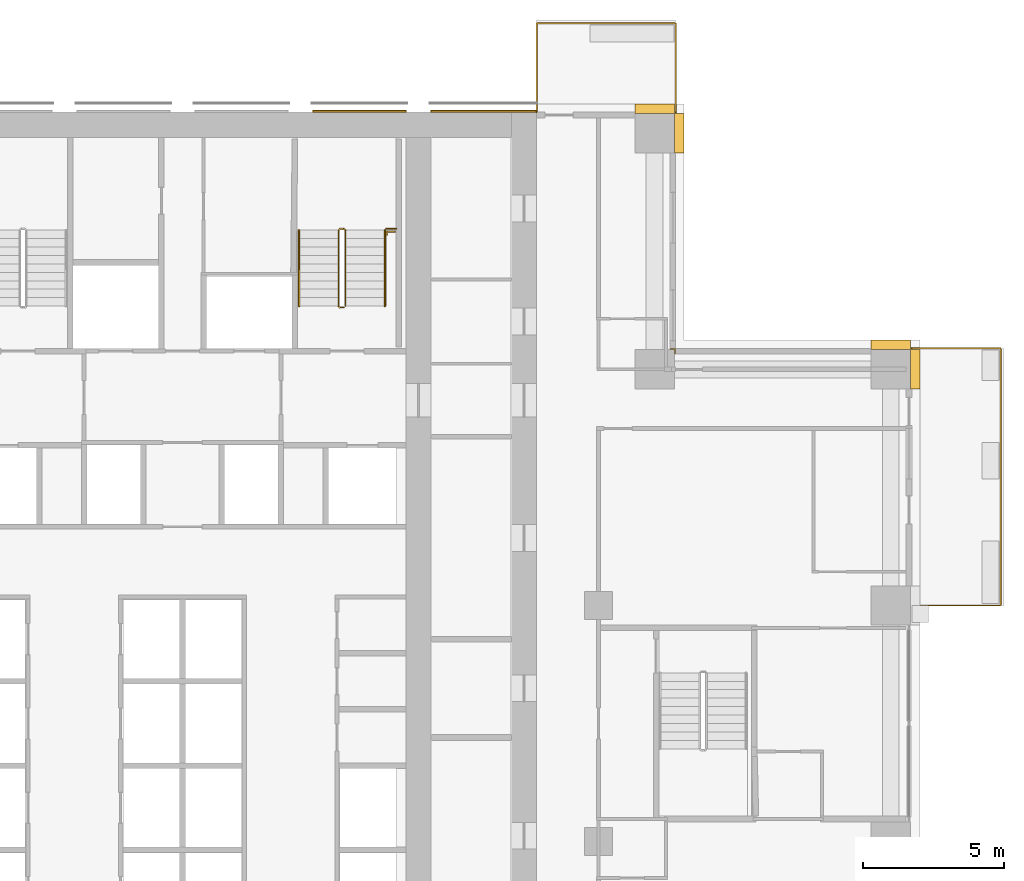
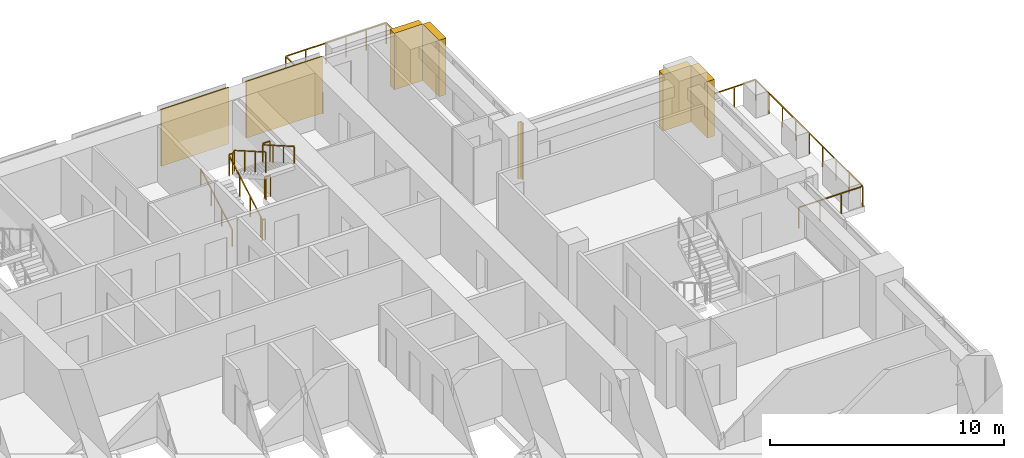
# One storey, part 16 of 16: 7 coverings, 7 railings.
"""IFC4 building model written with IfcOpenShell, lengths in metres."""

import ifcopenshell
import ifcopenshell.guid

model = None  # the IFC model being written
_history = None  # IfcOwnerHistory: only IFC2X3 demands one
_inside = {}  # id of a spatial element -> (the spatial element, [elements in it])
_under = {}  # id of a project, library or spatial element -> (it, [spatial elements below it])
_declared = {}  # id of a project -> (the project, [libraries it declares])
_typed = {}  # id of a type object -> (the type object, [elements of that type])
_made_of = {}  # id of a material, layer set ... -> (it, [elements and type objects made of it])


def new_model(schema):
    """Start an empty IFC model of exactly this schema.

    Asked for "IFC4X3", IfcOpenShell would pick the latest addendum, in which some entities
    have other attributes; the version numbers below select the first issue.
    IFC2X3 requires an IfcOwnerHistory on every rooted entity: one is made here for all.
    """
    global model, _history
    if schema == "IFC4X3":
        model = ifcopenshell.file(schema_version=(4, 3, 0, 0))
    else:
        model = ifcopenshell.file(schema=schema)
    _inside.clear()
    _under.clear()
    _declared.clear()
    _typed.clear()
    _made_of.clear()
    _history = None
    if model.schema == "IFC2X3":
        org = make("IfcOrganization", Name="unknown")
        user = make(
            "IfcPersonAndOrganization",
            ThePerson=make("IfcPerson", FamilyName="unknown"),
            TheOrganization=org,
        )
        app = make(
            "IfcApplication",
            ApplicationDeveloper=org,
            Version="unknown",
            ApplicationFullName="unknown",
            ApplicationIdentifier="unknown",
        )
        _history = make(
            "IfcOwnerHistory",
            OwningUser=user,
            OwningApplication=app,
            ChangeAction="ADDED",
            CreationDate=0,
        )
    return model


def make(cls, **values):
    """One entity of the class cls with the attributes given. An attribute that is None is left unset."""
    return model.create_entity(
        cls, **{name: value for name, value in values.items() if value is not None}
    )


def rooted(cls, **values):
    """An entity with a GlobalId (a new one), such as an element, a storey or a relation."""
    return make(cls, GlobalId=ifcopenshell.guid.new(), OwnerHistory=_history, **values)


def si_unit(unit_type, name, prefix=None):
    """IfcSIUnit, for example si_unit("LENGTHUNIT", "METRE", prefix="MILLI")."""
    return make("IfcSIUnit", UnitType=unit_type, Prefix=prefix, Name=name)


def assignment(units):
    """IfcUnitAssignment: the units of a project."""
    return None if units is None else make("IfcUnitAssignment", Units=units)


def point(xyz):
    """IfcCartesianPoint."""
    return None if xyz is None else make("IfcCartesianPoint", Coordinates=xyz)


def direction(xyz):
    """IfcDirection."""
    return None if xyz is None else make("IfcDirection", DirectionRatios=xyz)


def frame(location, z_axis=None, x_axis=None):
    """IfcAxis2Placement3D, a coordinate frame: its origin and axes. An axis left out is left unset."""
    return make(
        "IfcAxis2Placement3D",
        Location=point(location),
        Axis=direction(z_axis),
        RefDirection=direction(x_axis),
    )


def frame_2d(location, x_axis=None):
    """IfcAxis2Placement2D, a coordinate frame in the plane: its origin and x axis."""
    return make(
        "IfcAxis2Placement2D", Location=point(location), RefDirection=direction(x_axis)
    )


def origin():
    """The frame at (0, 0, 0) with its axes left unset."""
    return frame((0.0, 0.0, 0.0))


def origin_2d():
    """The frame at (0, 0) in the plane with its x axis left unset."""
    return frame_2d((0.0, 0.0))


def place(relative_to, where):
    """IfcLocalPlacement: puts the frame where relative to a parent placement (None: the world)."""
    return make(
        "IfcLocalPlacement", PlacementRelTo=relative_to, RelativePlacement=where
    )


def context(
    kind, dimensions, precision=None, world=None, true_north=None, identifier=None
):
    """IfcGeometricRepresentationContext, for example the 3D "Model" context."""
    return make(
        "IfcGeometricRepresentationContext",
        ContextIdentifier=identifier,
        ContextType=kind,
        CoordinateSpaceDimension=dimensions,
        Precision=precision,
        WorldCoordinateSystem=world,
        TrueNorth=true_north,
    )


def subcontext(parent, identifier, kind, view, scale=None):
    """IfcGeometricRepresentationSubContext, for example "Body" below "Model"."""
    return make(
        "IfcGeometricRepresentationSubContext",
        ContextIdentifier=identifier,
        ContextType=kind,
        ParentContext=parent,
        TargetScale=scale,
        TargetView=view,
    )


def project(units=None, contexts=None):
    """IfcProject with its units and contexts."""
    return rooted(
        "IfcProject",
        Name="project",
        RepresentationContexts=contexts,
        UnitsInContext=assignment(units),
    )


def spatial(cls, under=None, at=None, **own):
    """A site, building, storey or space (cls), placed at a placement, below another one or the project."""
    s = rooted(cls, ObjectPlacement=at, **own)
    if under is not None:
        _under.setdefault(under.id(), (under, []))[1].append(s)
    return s


def polyline(points):
    """IfcPolyline through the points."""
    return make("IfcPolyline", Points=[point(p) for p in points])


def profile(cls, at=None, kind="AREA", **sizes):
    """A parametric profile (cls). Its sizes go by their IFC names, for example OverallWidth=200.0."""
    return make(cls, ProfileType=kind, Position=at, **sizes)


def rectangle(**sizes):
    """IfcRectangleProfileDef."""
    return profile("IfcRectangleProfileDef", **sizes)


def outline(outer, holes=None, kind="AREA"):
    """IfcArbitraryClosedProfileDef: a profile drawn as a closed curve; with holes, ...WithVoids."""
    if holes is None:
        return make("IfcArbitraryClosedProfileDef", ProfileType=kind, OuterCurve=outer)
    return make(
        "IfcArbitraryProfileDefWithVoids",
        ProfileType=kind,
        OuterCurve=outer,
        InnerCurves=holes,
    )


def extrude(swept, where, along, depth):
    """IfcExtrudedAreaSolid: the profile swept, set in the frame where, extruded along a direction by depth."""
    return make(
        "IfcExtrudedAreaSolid",
        SweptArea=swept,
        Position=where,
        ExtrudedDirection=direction(along),
        Depth=depth,
    )


def shape(context_of_items, identifier, shape_type, items):
    """IfcShapeRepresentation: the items that make up one representation, for example the "Body"."""
    return make(
        "IfcShapeRepresentation",
        ContextOfItems=context_of_items,
        RepresentationIdentifier=identifier,
        RepresentationType=shape_type,
        Items=items,
    )


def material(Name=None, Category=None):
    """IfcMaterial."""
    return make("IfcMaterial", Name=Name, Category=Category)


def made_of(thing, what):
    """Note that an element or type object is made of a material, layer set ...; save() writes the relation."""
    if what is not None:
        _made_of.setdefault(what.id(), (what, []))[1].append(thing)
    return thing


def type_object(cls, material=None, **own):
    """A type object (cls), such as IfcWallType, which elements share."""
    return made_of(rooted(cls, **own), material)


def element(
    cls,
    number,
    at=None,
    inside=None,
    cuts=None,
    type_object=None,
    material=None,
    context=None,
    identifier="Body",
    shape_type=None,
    held_by="IfcProductDefinitionShape",
    body=None,
    shapes=None,
    **own,
):
    """One element of the class cls, such as IfcWall. Its Tag is "e" and its number.

    at: its placement. inside: the storey or other place that contains it. cuts: it is an
    opening in that element (IfcRelVoidsElement). A single representation is given by context,
    identifier, shape_type and body (its items); several are given by shapes. held_by: the class
    of the entity that holds the representations. save() writes the other relations.
    """
    e = rooted(cls, Tag="e%d" % number, ObjectPlacement=at, **own)
    if body is not None:
        shapes = [shape(context, identifier, shape_type, body)]
    if shapes is not None:
        e.Representation = make(held_by, Representations=shapes)
    if inside is not None:
        _inside.setdefault(inside.id(), (inside, []))[1].append(e)
    if cuts is not None:
        rooted(
            "IfcRelVoidsElement", RelatingBuildingElement=cuts, RelatedOpeningElement=e
        )
    if type_object is not None:
        _typed.setdefault(type_object.id(), (type_object, []))[1].append(e)
    return made_of(e, material)


def aggregate(whole, parts):
    """IfcRelAggregates: a whole, such as a stair, and the parts it consists of."""
    return rooted("IfcRelAggregates", RelatingObject=whole, RelatedObjects=parts)


def save(model, path):
    """Write the relations noted so far, then the file.

    IfcRelAggregates (storeys below a building ...), IfcRelContainedInSpatialStructure (elements
    in a storey), IfcRelDefinesByType, IfcRelAssociatesMaterial and IfcRelDeclares: one each for
    every whole, place, type object, material and project.
    """
    for whole, parts in _under.values():
        aggregate(whole, parts)
    for where, things in _inside.values():
        rooted(
            "IfcRelContainedInSpatialStructure",
            RelatedElements=things,
            RelatingStructure=where,
        )
    for kind, things in _typed.values():
        rooted("IfcRelDefinesByType", RelatedObjects=things, RelatingType=kind)
    for what, things in _made_of.values():
        rooted("IfcRelAssociatesMaterial", RelatedObjects=things, RelatingMaterial=what)
    for by, libraries in _declared.values():
        rooted("IfcRelDeclares", RelatingContext=by, RelatedDefinitions=libraries)
    model.write(path)


model = new_model("IFC4")

# Units and contexts
model_context = context("Model", 3, precision=1e-05, world=origin(), true_north=direction((0.0, 1.0)))
body_context = subcontext(model_context, "Body", "Model", "MODEL_VIEW")
ifc_project = project(units=[si_unit("LENGTHUNIT", "METRE"), si_unit("AREAUNIT", "SQUARE_METRE"), si_unit("VOLUMEUNIT", "CUBIC_METRE"), si_unit("PLANEANGLEUNIT", "RADIAN"), si_unit("MASSUNIT", "GRAM", prefix="KILO")], contexts=[model_context])

# Site, building, storey
site_placement = place(None, origin())
site = spatial("IfcSite", under=ifc_project, at=site_placement, CompositionType="ELEMENT")
building_placement = place(site_placement, origin())
building = spatial("IfcBuilding", under=site, at=building_placement, Name="Vermilion Ogive Tower", CompositionType="ELEMENT")
storey_placement = place(building_placement, frame((0.0, 0.0, 72.449951171875)))
storey = spatial("IfcBuildingStorey", under=building, at=storey_placement, Name="L17", CompositionType="ELEMENT", Elevation=72.449951171875)

# Railings
ifc_material_1 = material(Name="Stainless steel and glass", Category="steel")
railing_type_1 = type_object("IfcRailingType", Name="Balcony guard", PredefinedType="GUARDRAIL", material=ifc_material_1)
railing_1_placement = place(storey_placement, frame((25.949951171875, 4.199951171875, -0.0400390625)))
element("IfcRailing", 1, at=railing_1_placement, inside=storey, type_object=railing_type_1, Name="Guard E03", PredefinedType="GUARDRAIL", context=body_context, shape_type="SweptSolid", body=[
    extrude(rectangle(XDim=0.048095703125, YDim=0.048095703125, at=origin_2d()), frame((0.0, 0.0, 1.076171875), z_axis=(1.0, 0.0, 0.0), x_axis=(0.0, 1.0, 0.0)), (0.0, 0.0, 1.0), 3.16015625),
    extrude(rectangle(XDim=0.048095703125, YDim=0.048095703125, at=origin_2d()), frame((3.16015625, 0.0, 1.076171875), z_axis=(0.0, 1.0, 0.0), x_axis=(-1.0, 0.0, 0.0)), (0.0, 0.0, 1.0), 9.150146484375),
    extrude(rectangle(XDim=0.048095703125, YDim=0.048095703125, at=origin_2d()), frame((3.16015625, 9.150146484375, 1.076171875), z_axis=(-1.0, 0.0, 0.0), x_axis=(0.0, -1.0, 0.0)), (0.0, 0.0, 1.0), 3.16015625),
    extrude(rectangle(XDim=0.0419921875, YDim=0.0419921875, at=origin_2d()), origin(), (0.0, 0.0, 1.0), 1.052001953125),
    extrude(rectangle(XDim=0.0419921875, YDim=0.0419921875, at=origin_2d()), frame((1.053466796875, 0.0, 0.0)), (0.0, 0.0, 1.0), 1.052001953125),
    extrude(rectangle(XDim=0.0419921875, YDim=0.0419921875, at=origin_2d()), frame((2.106689453125, 0.0, 0.0)), (0.0, 0.0, 1.0), 1.052001953125),
    extrude(rectangle(XDim=0.0419921875, YDim=0.0419921875, at=origin_2d()), frame((3.16015625, 0.0, 0.0)), (0.0, 0.0, 1.0), 1.052001953125),
    extrude(rectangle(XDim=0.0419921875, YDim=0.0419921875, at=origin_2d()), frame((3.16015625, 1.143798828125, 0.0)), (0.0, 0.0, 1.0), 1.052001953125),
    extrude(rectangle(XDim=0.0419921875, YDim=0.0419921875, at=origin_2d()), frame((3.16015625, 2.28759765625, 0.0)), (0.0, 0.0, 1.0), 1.052001953125),
    extrude(rectangle(XDim=0.0419921875, YDim=0.0419921875, at=origin_2d()), frame((3.16015625, 3.431396484375, 0.0)), (0.0, 0.0, 1.0), 1.052001953125),
    extrude(rectangle(XDim=0.0419921875, YDim=0.0419921875, at=origin_2d()), frame((3.16015625, 4.5751953125, 0.0)), (0.0, 0.0, 1.0), 1.052001953125),
    extrude(rectangle(XDim=0.0419921875, YDim=0.0419921875, at=origin_2d()), frame((3.16015625, 5.71875, 0.0)), (0.0, 0.0, 1.0), 1.052001953125),
    extrude(rectangle(XDim=0.0419921875, YDim=0.0419921875, at=origin_2d()), frame((3.16015625, 6.862548828125, 0.0)), (0.0, 0.0, 1.0), 1.052001953125),
    extrude(rectangle(XDim=0.0419921875, YDim=0.0419921875, at=origin_2d()), frame((3.16015625, 8.00634765625, 0.0)), (0.0, 0.0, 1.0), 1.052001953125),
    extrude(rectangle(XDim=0.0419921875, YDim=0.0419921875, at=origin_2d()), frame((3.16015625, 9.150146484375, 0.0)), (0.0, 0.0, 1.0), 1.052001953125),
    extrude(rectangle(XDim=0.0419921875, YDim=0.0419921875, at=origin_2d()), frame((2.106689453125, 9.150146484375, 0.0)), (0.0, 0.0, 1.0), 1.052001953125),
    extrude(rectangle(XDim=0.0419921875, YDim=0.0419921875, at=origin_2d()), frame((1.053466796875, 9.150146484375, 0.0)), (0.0, 0.0, 1.0), 1.052001953125),
    extrude(rectangle(XDim=0.0419921875, YDim=0.0419921875, at=origin_2d()), frame((0.0, 9.150146484375, 0.0)), (0.0, 0.0, 1.0), 1.052001953125),
])
railing_2_placement = place(storey_placement, frame((17.550048828125, 21.75, -0.0400390625)))
element("IfcRailing", 2, at=railing_2_placement, inside=storey, type_object=railing_type_1, Name="Guard N101", PredefinedType="GUARDRAIL", context=body_context, shape_type="SweptSolid", body=[
    extrude(rectangle(XDim=0.048095703125, YDim=0.048095703125, at=origin_2d()), frame((0.0, 0.0, 1.076171875), z_axis=(0.0, 1.0, 0.0), x_axis=(-1.0, 0.0, 0.0)), (0.0, 0.0, 1.0), 3.159912109375),
    extrude(rectangle(XDim=0.048095703125, YDim=0.048095703125, at=origin_2d()), frame((0.0, 3.159912109375, 1.076171875), z_axis=(-1.0, 0.0, 0.0), x_axis=(0.0, -1.0, 0.0)), (0.0, 0.0, 1.0), 4.949951171875),
    extrude(rectangle(XDim=0.048095703125, YDim=0.048095703125, at=origin_2d()), frame((-4.949951171875, 3.159912109375, 1.076171875), z_axis=(0.0, -1.0, 0.0), x_axis=(1.0, 0.0, 0.0)), (0.0, 0.0, 1.0), 3.159912109375),
    extrude(rectangle(XDim=0.0419921875, YDim=0.0419921875, at=origin_2d()), origin(), (0.0, 0.0, 1.0), 1.052001953125),
    extrude(rectangle(XDim=0.0419921875, YDim=0.0419921875, at=origin_2d()), frame((0.0, 1.05322265625, 0.0)), (0.0, 0.0, 1.0), 1.052001953125),
    extrude(rectangle(XDim=0.0419921875, YDim=0.0419921875, at=origin_2d()), frame((0.0, 2.106689453125, 0.0)), (0.0, 0.0, 1.0), 1.052001953125),
    extrude(rectangle(XDim=0.0419921875, YDim=0.0419921875, at=origin_2d()), frame((0.0, 3.159912109375, 0.0)), (0.0, 0.0, 1.0), 1.052001953125),
    extrude(rectangle(XDim=0.0419921875, YDim=0.0419921875, at=origin_2d()), frame((-0.989990234375, 3.159912109375, 0.0)), (0.0, 0.0, 1.0), 1.052001953125),
    extrude(rectangle(XDim=0.0419921875, YDim=0.0419921875, at=origin_2d()), frame((-1.97998046875, 3.159912109375, 0.0)), (0.0, 0.0, 1.0), 1.052001953125),
    extrude(rectangle(XDim=0.0419921875, YDim=0.0419921875, at=origin_2d()), frame((-2.969970703125, 3.159912109375, 0.0)), (0.0, 0.0, 1.0), 1.052001953125),
    extrude(rectangle(XDim=0.0419921875, YDim=0.0419921875, at=origin_2d()), frame((-3.9599609375, 3.159912109375, 0.0)), (0.0, 0.0, 1.0), 1.052001953125),
    extrude(rectangle(XDim=0.0419921875, YDim=0.0419921875, at=origin_2d()), frame((-4.949951171875, 3.159912109375, 0.0)), (0.0, 0.0, 1.0), 1.052001953125),
    extrude(rectangle(XDim=0.0419921875, YDim=0.0419921875, at=origin_2d()), frame((-4.949951171875, 2.106689453125, 0.0)), (0.0, 0.0, 1.0), 1.052001953125),
    extrude(rectangle(XDim=0.0419921875, YDim=0.0419921875, at=origin_2d()), frame((-4.949951171875, 1.05322265625, 0.0)), (0.0, 0.0, 1.0), 1.052001953125),
    extrude(rectangle(XDim=0.0419921875, YDim=0.0419921875, at=origin_2d()), frame((-4.949951171875, 0.0, 0.0)), (0.0, 0.0, 1.0), 1.052001953125),
])
ifc_material_2 = material(Name="Steel S355 painted", Category="steel")
railing_type_2 = type_object("IfcRailingType", Name="Stair guard 1100", PredefinedType="GUARDRAIL", material=ifc_material_2)
railing_3_placement = place(storey_placement, frame((5.75, 14.800048828125, 0.0)))
element("IfcRailing", 3, at=railing_3_placement, inside=storey, type_object=railing_type_2, Name="L17 ST2 stair guard 4", PredefinedType="GUARDRAIL", context=body_context, shape_type="SweptSolid", body=[
    extrude(rectangle(XDim=0.048095703125, YDim=0.048095703125, at=origin_2d()), frame((0.0, 0.0, 1.076171875), z_axis=(-1.0, 0.0, 0.0), x_axis=(0.0, -1.0, 0.0)), (0.0, 0.0, 1.0), 0.14990234375),
    extrude(rectangle(XDim=0.048095703125, YDim=0.048095703125, at=origin_2d()), frame((-0.14990234375, 0.0, 1.076171875), z_axis=(-0.268277960024, 0.268277960024, 0.925231793839), x_axis=(-0.707106781187, -0.707106781187, 0.0)), (0.0, 0.0, 1.0), 0.1865234375),
    extrude(rectangle(XDim=0.048095703125, YDim=0.048095703125, at=origin_2d()), frame((-0.199951171875, 0.050048828125, 1.24853515625), z_axis=(0.0, 0.866903762492, 0.498475542607), x_axis=(-1.0, 0.0, 0.0)), (0.0, 0.0, 1.0), 3.114501953125),
    extrude(rectangle(XDim=0.048095703125, YDim=0.048095703125, at=origin_2d()), frame((-0.199951171875, 2.75, 2.80126953125), z_axis=(0.707106781187, 0.707106781187, 0.0), x_axis=(-0.707106781187, 0.707106781187, 0.0)), (0.0, 0.0, 1.0), 0.07080078125),
    extrude(rectangle(XDim=0.048095703125, YDim=0.048095703125, at=origin_2d()), frame((-0.14990234375, 2.800048828125, 2.80126953125), z_axis=(1.0, 0.0, 0.0), x_axis=(0.0, 1.0, 0.0)), (0.0, 0.0, 1.0), 0.14990234375),
    extrude(rectangle(XDim=0.048095703125, YDim=0.048095703125, at=origin_2d()), frame((0.0, 2.800048828125, 2.80126953125), z_axis=(0.268603158521, -0.268603158521, 0.925043072762), x_axis=(0.707106781187, 0.707106781187, 0.0)), (0.0, 0.0, 1.0), 0.186279296875),
    extrude(rectangle(XDim=0.048095703125, YDim=0.048095703125, at=origin_2d()), frame((0.050048828125, 2.75, 2.9736328125), z_axis=(0.0, -0.866903762492, 0.498475542607), x_axis=(1.0, 0.0, 0.0)), (0.0, 0.0, 1.0), 3.114501953125),
    extrude(rectangle(XDim=0.0419921875, YDim=0.0419921875, at=origin_2d()), origin(), (0.0, 0.0, 1.0), 1.052001953125),
    extrude(rectangle(XDim=0.0419921875, YDim=0.0419921875, at=origin_2d()), frame((-0.14990234375, 0.0, 0.0)), (0.0, 0.0, 1.0), 1.052001953125),
    extrude(rectangle(XDim=0.0419921875, YDim=0.0419921875, at=origin_2d()), frame((-0.199951171875, 0.050048828125, 0.172607421875)), (0.0, 0.0, 1.0), 1.052001953125),
    extrude(rectangle(XDim=0.0419921875, YDim=0.0419921875, at=origin_2d()), frame((-0.199951171875, 0.949951171875, 0.690185546875)), (0.0, 0.0, 1.0), 1.052001953125),
    extrude(rectangle(XDim=0.0419921875, YDim=0.0419921875, at=origin_2d()), frame((-0.199951171875, 1.85009765625, 1.20751953125)), (0.0, 0.0, 1.0), 1.052001953125),
    extrude(rectangle(XDim=0.0419921875, YDim=0.0419921875, at=origin_2d()), frame((-0.199951171875, 2.75, 1.72509765625)), (0.0, 0.0, 1.0), 1.052001953125),
    extrude(rectangle(XDim=0.0419921875, YDim=0.0419921875, at=origin_2d()), frame((-0.14990234375, 2.800048828125, 1.72509765625)), (0.0, 0.0, 1.0), 1.052001953125),
    extrude(rectangle(XDim=0.0419921875, YDim=0.0419921875, at=origin_2d()), frame((0.0, 2.800048828125, 1.72509765625)), (0.0, 0.0, 1.0), 1.052001953125),
    extrude(rectangle(XDim=0.0419921875, YDim=0.0419921875, at=origin_2d()), frame((0.050048828125, 2.75, 1.8974609375)), (0.0, 0.0, 1.0), 1.052001953125),
    extrude(rectangle(XDim=0.0419921875, YDim=0.0419921875, at=origin_2d()), frame((0.050048828125, 1.85009765625, 2.4150390625)), (0.0, 0.0, 1.0), 1.052001953125),
    extrude(rectangle(XDim=0.0419921875, YDim=0.0419921875, at=origin_2d()), frame((0.050048828125, 0.949951171875, 2.932373046875)), (0.0, 0.0, 1.0), 1.052001953125),
    extrude(rectangle(XDim=0.0419921875, YDim=0.0419921875, at=origin_2d()), frame((0.050048828125, 0.050048828125, 3.449951171875)), (0.0, 0.0, 1.0), 1.052001953125),
])
railing_4_placement = place(storey_placement, frame((7.25, 17.60009765625, 1.72509765625)))
element("IfcRailing", 4, at=railing_4_placement, inside=storey, type_object=railing_type_2, Name="L17 landing guard", PredefinedType="GUARDRAIL", context=body_context, shape_type="SweptSolid", body=[
    extrude(rectangle(XDim=0.048095703125, YDim=0.048095703125, at=origin_2d()), frame((0.0, 0.0, 1.076171875), z_axis=(1.0, 0.0, 0.0), x_axis=(0.0, 1.0, 0.0)), (0.0, 0.0, 1.0), 0.35009765625),
    extrude(rectangle(XDim=0.0419921875, YDim=0.0419921875, at=origin_2d()), origin(), (0.0, 0.0, 1.0), 1.052001953125),
    extrude(rectangle(XDim=0.0419921875, YDim=0.0419921875, at=origin_2d()), frame((0.35009765625, 0.0, 0.0)), (0.0, 0.0, 1.0), 1.052001953125),
])
railing_5_placement = place(storey_placement, frame((7.27294921875, 17.37451171875, 0.0)))
element("IfcRailing", 5, at=railing_5_placement, inside=storey, type_object=railing_type_2, Name="L17 stair opening guard", PredefinedType="GUARDRAIL", context=body_context, shape_type="SweptSolid", body=[
    extrude(rectangle(XDim=0.048095703125, YDim=0.048095703125, at=origin_2d()), frame((0.0, 0.0, 1.076171875), z_axis=(0.0, 1.0, 0.0), x_axis=(-1.0, 0.0, 0.0)), (0.0, 0.0, 1.0), 0.1201171875),
    extrude(rectangle(XDim=0.048095703125, YDim=0.048095703125, at=origin_2d()), frame((0.0, 0.1201171875, 1.076171875), z_axis=(1.0, 0.0, 0.0), x_axis=(0.0, 1.0, 0.0)), (0.0, 0.0, 1.0), 0.2900390625),
    extrude(rectangle(XDim=0.0419921875, YDim=0.0419921875, at=origin_2d()), origin(), (0.0, 0.0, 1.0), 1.052001953125),
    extrude(rectangle(XDim=0.0419921875, YDim=0.0419921875, at=origin_2d()), frame((0.0, 0.1201171875, 0.0)), (0.0, 0.0, 1.0), 1.052001953125),
    extrude(rectangle(XDim=0.0419921875, YDim=0.0419921875, at=origin_2d()), frame((0.2900390625, 0.1201171875, 0.0)), (0.0, 0.0, 1.0), 1.052001953125),
])
ifc_material_3 = material(Name="Stainless steel", Category="steel")
railing_type_3 = type_object("IfcRailingType", Name="Stair handrail 900", PredefinedType="HANDRAIL", material=ifc_material_3)
railing_6_placement = place(storey_placement, frame((4.14990234375, 14.85009765625, 0.172607421875)))
element("IfcRailing", 6, at=railing_6_placement, inside=storey, type_object=railing_type_3, Name="L17 ST2 stair handrail 1", PredefinedType="HANDRAIL", context=body_context, shape_type="SweptSolid", body=[
    extrude(rectangle(XDim=0.048095703125, YDim=0.048095703125, at=origin_2d()), frame((0.0, 0.0, 0.8759765625), z_axis=(0.0, 0.866903762492, 0.498475542607), x_axis=(-1.0, 0.0, 0.0)), (0.0, 0.0, 1.0), 3.114501953125),
    extrude(rectangle(XDim=0.0419921875, YDim=0.0419921875, at=origin_2d()), origin(), (0.0, 0.0, 1.0), 0.851806640625),
    extrude(rectangle(XDim=0.0419921875, YDim=0.0419921875, at=origin_2d()), frame((0.0, 0.89990234375, 0.517578125)), (0.0, 0.0, 1.0), 0.851806640625),
    extrude(rectangle(XDim=0.0419921875, YDim=0.0419921875, at=origin_2d()), frame((0.0, 1.800048828125, 1.034912109375)), (0.0, 0.0, 1.0), 0.851806640625),
    extrude(rectangle(XDim=0.0419921875, YDim=0.0419921875, at=origin_2d()), frame((0.0, 2.699951171875, 1.552490234375)), (0.0, 0.0, 1.0), 0.851806640625),
])
railing_7_placement = place(storey_placement, frame((7.199951171875, 17.550048828125, 1.8974609375)))
element("IfcRailing", 7, at=railing_7_placement, inside=storey, type_object=railing_type_3, Name="L17 ST2 stair handrail 2", PredefinedType="HANDRAIL", context=body_context, shape_type="SweptSolid", body=[
    extrude(rectangle(XDim=0.048095703125, YDim=0.048095703125, at=origin_2d()), frame((0.0, 0.0, 0.8759765625), z_axis=(0.0, -0.866903762492, 0.498475542607), x_axis=(1.0, 0.0, 0.0)), (0.0, 0.0, 1.0), 3.114501953125),
    extrude(rectangle(XDim=0.0419921875, YDim=0.0419921875, at=origin_2d()), origin(), (0.0, 0.0, 1.0), 0.851806640625),
    extrude(rectangle(XDim=0.0419921875, YDim=0.0419921875, at=origin_2d()), frame((0.0, -0.89990234375, 0.517578125)), (0.0, 0.0, 1.0), 0.851806640625),
    extrude(rectangle(XDim=0.0419921875, YDim=0.0419921875, at=origin_2d()), frame((0.0, -1.800048828125, 1.034912109375)), (0.0, 0.0, 1.0), 0.851806640625),
    extrude(rectangle(XDim=0.0419921875, YDim=0.0419921875, at=origin_2d()), frame((0.0, -2.699951171875, 1.552490234375)), (0.0, 0.0, 1.0), 0.851806640625),
])

# Coverings
ifc_material_4 = material(Name="Stone cladding", Category="masonry")
covering_type_1 = type_object("IfcCoveringType", Name="Stone cladding panel", PredefinedType="CLADDING", material=ifc_material_4)
covering_1_placement = place(storey_placement, origin())
element("IfcCovering", 8, at=covering_1_placement, inside=storey, type_object=covering_type_1, Name="Stone cladding panel N5", PredefinedType="CLADDING", context=body_context, shape_type="SweptSolid", body=[
    extrude(outline(polyline([(4.6298828125, 21.75), (7.969970703125, 21.75), (7.969970703125, 21.81005859375), (4.6298828125, 21.81005859375), (4.6298828125, 21.75)])), origin(), (0.0, 0.0, 1.0), 2.949951171875),
])
covering_2_placement = place(storey_placement, origin())
element("IfcCovering", 9, at=covering_2_placement, inside=storey, type_object=covering_type_1, Name="Stone cladding panel N6", PredefinedType="CLADDING", context=body_context, shape_type="SweptSolid", body=[
    extrude(outline(polyline([(8.830078125, 21.75), (12.590087890625, 21.75), (12.590087890625, 21.81005859375), (8.830078125, 21.81005859375), (8.830078125, 21.75)])), origin(), (0.0, 0.0, 1.0), 2.949951171875),
])
ifc_material_5 = material(Name="Stone cladding", Category="masonry")
covering_type_2 = type_object("IfcCoveringType", Name="Stone pier", PredefinedType="CLADDING", material=ifc_material_5)
covering_3_placement = place(storey_placement, origin())
element("IfcCovering", 10, at=covering_3_placement, inside=storey, type_object=covering_type_2, Name="Stone corner pier X3E1", PredefinedType="CLADDING", context=body_context, shape_type="SweptSolid", body=[
    extrude(outline(polyline([(17.5, 13.14990234375), (17.5, 13.300048828125), (17.35009765625, 13.300048828125), (17.35009765625, 13.35009765625), (17.550048828125, 13.35009765625), (17.550048828125, 13.14990234375), (17.5, 13.14990234375)])), origin(), (0.0, 0.0, 1.0), 2.949951171875),
])
covering_4_placement = place(storey_placement, origin())
element("IfcCovering", 11, at=covering_4_placement, inside=storey, type_object=covering_type_2, Name="Stone pier P+0168+210X4", PredefinedType="CLADDING", context=body_context, shape_type="SweptSolid", body=[
    extrude(outline(polyline([(17.85009765625, 21.699951171875), (17.85009765625, 20.300048828125), (17.5, 20.300048828125), (17.5, 21.699951171875), (17.85009765625, 21.699951171875)])), origin(), (0.0, 0.0, 1.0), 2.949951171875),
])
covering_5_placement = place(storey_placement, origin())
element("IfcCovering", 12, at=covering_5_placement, inside=storey, type_object=covering_type_2, Name="Stone pier P+0168+210N1", PredefinedType="CLADDING", context=body_context, shape_type="SweptSolid", body=[
    extrude(outline(polyline([(17.5, 22.050048828125), (17.5, 21.699951171875), (16.10009765625, 21.699951171875), (16.10009765625, 22.050048828125), (17.5, 22.050048828125)])), origin(), (0.0, 0.0, 1.0), 2.949951171875),
])
covering_6_placement = place(storey_placement, origin())
element("IfcCovering", 13, at=covering_6_placement, inside=storey, type_object=covering_type_2, Name="Stone pier P+0252+126E", PredefinedType="CLADDING", context=body_context, shape_type="SweptSolid", body=[
    extrude(outline(polyline([(26.25, 13.300048828125), (26.25, 11.89990234375), (25.89990234375, 11.89990234375), (25.89990234375, 13.300048828125), (26.25, 13.300048828125)])), origin(), (0.0, 0.0, 1.0), 2.949951171875),
])
covering_7_placement = place(storey_placement, origin())
element("IfcCovering", 14, at=covering_7_placement, inside=storey, type_object=covering_type_2, Name="Stone pier P+0252+126X3", PredefinedType="CLADDING", context=body_context, shape_type="SweptSolid", body=[
    extrude(outline(polyline([(25.89990234375, 13.64990234375), (25.89990234375, 13.300048828125), (24.5, 13.300048828125), (24.5, 13.64990234375), (25.89990234375, 13.64990234375)])), origin(), (0.0, 0.0, 1.0), 2.949951171875),
])

save(model, "model.ifc")
